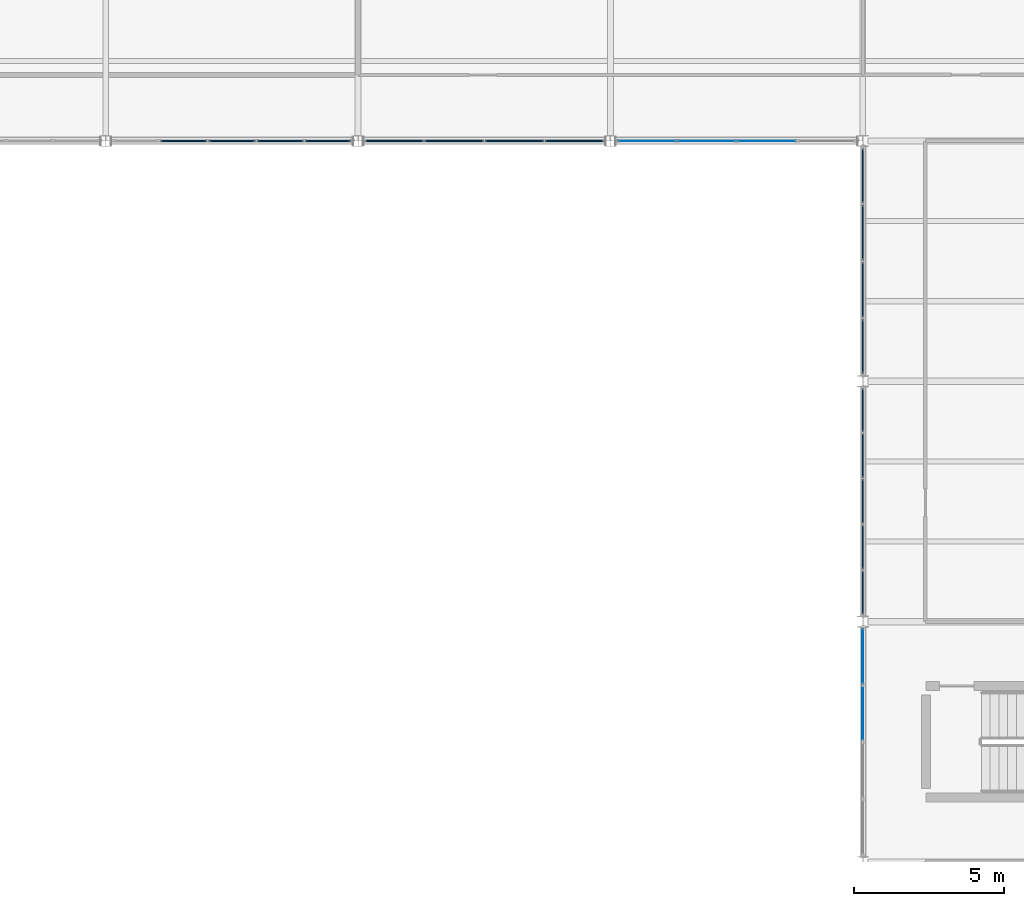
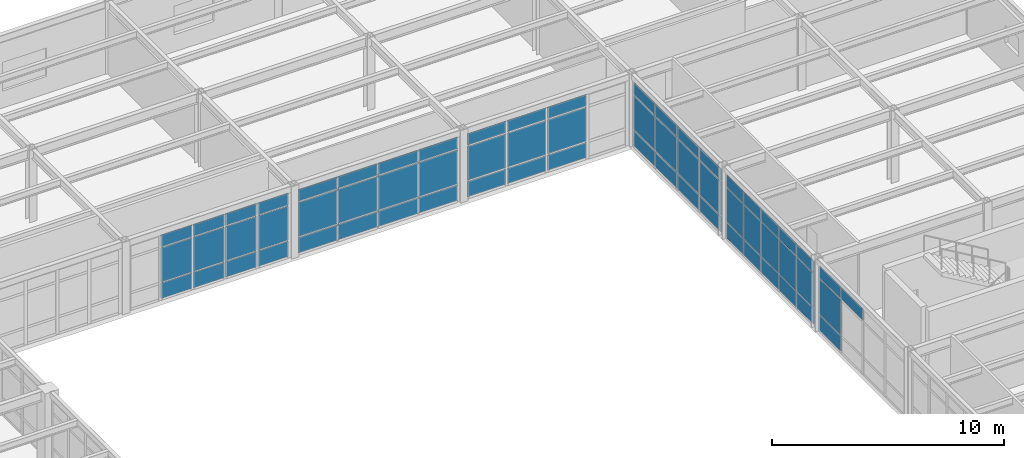
# One storey, part 65 of 138: 64 plates, 6 elements without a shape of their own.
"""IFC4 building model written with IfcOpenShell, lengths in metres."""

from ifc_helpers import new_model, si_unit, direction, frame, origin, origin_2d, place, context, subcontext, project, spatial, rectangle, extrude, material, layer, layer_set, type_object, element, aggregate, save


model = new_model("IFC4")

# Units and contexts
model_context = context("Model", 3, precision=1e-05, world=origin(), true_north=direction((0.0, 1.0)))
body_context = subcontext(model_context, "Body", "Model", "MODEL_VIEW")
ifc_project = project(units=[si_unit("LENGTHUNIT", "METRE"), si_unit("AREAUNIT", "SQUARE_METRE"), si_unit("VOLUMEUNIT", "CUBIC_METRE"), si_unit("PLANEANGLEUNIT", "RADIAN"), si_unit("MASSUNIT", "GRAM", prefix="KILO")], contexts=[model_context])

# Site, building, storey
site_placement = place(None, origin())
site = spatial("IfcSite", under=ifc_project, at=site_placement, CompositionType="ELEMENT")
building_placement = place(site_placement, origin())
building = spatial("IfcBuilding", under=site, at=building_placement, Name="Kranzveld Transit Interchange", CompositionType="ELEMENT")
storey_placement = place(building_placement, frame((0.0, 0.0, 5.43994140625)))
storey = spatial("IfcBuildingStorey", under=building, at=storey_placement, Name="L01", CompositionType="ELEMENT", Elevation=5.43994140625)

# Curtain wall, plates
ifc_material_1 = material(Name="Bronze-anodised thermally broken aluminium", Category="aluminium")
ifc_layer_1 = layer(ifc_material_1, 0.159912109375)
ifc_layer_set_1 = layer_set([ifc_layer_1], Name="Bronze-anodised thermally broken aluminium")
curtain_wall_type_1 = type_object("IfcCurtainWallType", Name="Bus Boarding Glazed Screen CW-3", PredefinedType="USERDEFINED", material=ifc_layer_set_1)
curtain_wall_1_placement = place(storey_placement, origin())
curtain_wall_1 = element("IfcCurtainWall", 1, at=curtain_wall_1_placement, inside=storey, type_object=curtain_wall_type_1, Name="L01 Curtain Wall 19/K-19/L", ObjectType="CURTAIN WALL", PredefinedType="USERDEFINED")
ifc_material_2 = material(Name="Solar-control double glazing", Category="glass")
ifc_layer_2 = layer(ifc_material_2, 0.031982421875)
ifc_layer_set_2 = layer_set([ifc_layer_2], Name="Solar-control double glazing")
plate_type_1 = type_object("IfcPlateType", Name="Curtain Panel Acoustic Glazing 32", PredefinedType="CURTAIN_PANEL", material=ifc_layer_set_2)
plate_1_placement = place(storey_placement, frame((151.199951171875, 76.953125, 2.830078125), z_axis=(0.0, 0.0, 1.0), x_axis=(0.0, 1.0, 0.0)))
plate_1 = element("IfcPlate", 2, at=plate_1_placement, type_object=plate_type_1, Name="CW-3 panel 3.3", PredefinedType="CURTAIN_PANEL", context=body_context, shape_type="SweptSolid", body=[
    extrude(rectangle(XDim=1.846435546875, YDim=0.031982421875, at=origin_2d()), origin(), (0.0, 0.0, 1.0), 0.610107421875),
])
plate_2_placement = place(storey_placement, frame((151.199951171875, 78.844482421875, 0.06005859375), z_axis=(0.0, 0.0, 1.0), x_axis=(0.0, 1.0, 0.0)))
plate_2 = element("IfcPlate", 3, at=plate_2_placement, type_object=plate_type_1, Name="CW-3 panel 4.1", PredefinedType="CURTAIN_PANEL", context=body_context, shape_type="SweptSolid", body=[
    extrude(rectangle(XDim=1.81640625, YDim=0.031982421875, at=origin_2d()), origin(), (0.0, 0.0, 1.0), 0.81005859375),
])
plate_3_placement = place(storey_placement, frame((151.199951171875, 78.844482421875, 0.93017578125), z_axis=(0.0, 0.0, 1.0), x_axis=(0.0, 1.0, 0.0)))
plate_3 = element("IfcPlate", 4, at=plate_3_placement, type_object=plate_type_1, Name="CW-3 panel 4.2", PredefinedType="CURTAIN_PANEL", context=body_context, shape_type="SweptSolid", body=[
    extrude(rectangle(XDim=1.81640625, YDim=0.031982421875, at=origin_2d()), origin(), (0.0, 0.0, 1.0), 1.840087890625),
])
plate_4_placement = place(storey_placement, frame((151.199951171875, 78.844482421875, 2.830078125), z_axis=(0.0, 0.0, 1.0), x_axis=(0.0, 1.0, 0.0)))
plate_4 = element("IfcPlate", 5, at=plate_4_placement, type_object=plate_type_1, Name="CW-3 panel 4.3", PredefinedType="CURTAIN_PANEL", context=body_context, shape_type="SweptSolid", body=[
    extrude(rectangle(XDim=1.81640625, YDim=0.031982421875, at=origin_2d()), origin(), (0.0, 0.0, 1.0), 0.610107421875),
])
aggregate(curtain_wall_1, [plate_1, plate_2, plate_3, plate_4])

ifc_material_3 = material(Name="Bronze-anodised thermally broken aluminium", Category="aluminium")
ifc_layer_3 = layer(ifc_material_3, 0.179931640625)
ifc_layer_set_3 = layer_set([ifc_layer_3], Name="Bronze-anodised thermally broken aluminium")
curtain_wall_type_2 = type_object("IfcCurtainWallType", Name="Concourse Unitised Curtain Wall CW-1", PredefinedType="USERDEFINED", material=ifc_layer_set_3)
curtain_wall_2_placement = place(storey_placement, origin())
curtain_wall_2 = element("IfcCurtainWall", 6, at=curtain_wall_2_placement, inside=storey, type_object=curtain_wall_type_2, Name="L01 Curtain Wall 18/N-19/N", ObjectType="CURTAIN WALL", PredefinedType="USERDEFINED")
ifc_material_4 = material(Name="Solar-control double glazing", Category="glass")
ifc_layer_4 = layer(ifc_material_4, 0.028076171875)
ifc_layer_set_4 = layer_set([ifc_layer_4], Name="Solar-control double glazing")
plate_type_2 = type_object("IfcPlateType", Name="Curtain Panel Double Glazing 28", PredefinedType="CURTAIN_PANEL", material=ifc_layer_set_4)
plate_5_placement = place(storey_placement, frame((144.0068359375, 96.0, 0.06494140625), z_axis=(0.0, 0.0, 1.0), x_axis=(1.0, 0.0, 0.0)))
plate_5 = element("IfcPlate", 7, at=plate_5_placement, type_object=plate_type_2, Name="CW-1 panel 1.1", PredefinedType="CURTAIN_PANEL", context=body_context, shape_type="SweptSolid", body=[
    extrude(rectangle(XDim=1.908935546875, YDim=0.028076171875, at=origin_2d()), origin(), (0.0, 0.0, 1.0), 0.802490234375),
])
plate_6_placement = place(storey_placement, frame((144.0068359375, 96.0, 0.9326171875), z_axis=(0.0, 0.0, 1.0), x_axis=(1.0, 0.0, 0.0)))
plate_6 = element("IfcPlate", 8, at=plate_6_placement, type_object=plate_type_2, Name="CW-1 panel 1.2", PredefinedType="CURTAIN_PANEL", context=body_context, shape_type="SweptSolid", body=[
    extrude(rectangle(XDim=1.908935546875, YDim=0.028076171875, at=origin_2d()), origin(), (0.0, 0.0, 1.0), 1.784912109375),
])
plate_7_placement = place(storey_placement, frame((144.0068359375, 96.0, 2.782470703125), z_axis=(0.0, 0.0, 1.0), x_axis=(1.0, 0.0, 0.0)))
plate_7 = element("IfcPlate", 9, at=plate_7_placement, type_object=plate_type_2, Name="CW-1 panel 1.3", PredefinedType="CURTAIN_PANEL", context=body_context, shape_type="SweptSolid", body=[
    extrude(rectangle(XDim=1.908935546875, YDim=0.028076171875, at=origin_2d()), origin(), (0.0, 0.0, 1.0), 0.6025390625),
])
plate_8_placement = place(storey_placement, frame((145.996826171875, 96.0, 0.06494140625), z_axis=(0.0, 0.0, 1.0), x_axis=(1.0, 0.0, 0.0)))
plate_8 = element("IfcPlate", 10, at=plate_8_placement, type_object=plate_type_2, Name="CW-1 panel 2.1", PredefinedType="CURTAIN_PANEL", context=body_context, shape_type="SweptSolid", body=[
    extrude(rectangle(XDim=1.94140625, YDim=0.028076171875, at=origin_2d()), origin(), (0.0, 0.0, 1.0), 0.802490234375),
])
plate_9_placement = place(storey_placement, frame((145.996826171875, 96.0, 0.9326171875), z_axis=(0.0, 0.0, 1.0), x_axis=(1.0, 0.0, 0.0)))
plate_9 = element("IfcPlate", 11, at=plate_9_placement, type_object=plate_type_2, Name="CW-1 panel 2.2", PredefinedType="CURTAIN_PANEL", context=body_context, shape_type="SweptSolid", body=[
    extrude(rectangle(XDim=1.94140625, YDim=0.028076171875, at=origin_2d()), origin(), (0.0, 0.0, 1.0), 1.784912109375),
])
plate_10_placement = place(storey_placement, frame((145.996826171875, 96.0, 2.782470703125), z_axis=(0.0, 0.0, 1.0), x_axis=(1.0, 0.0, 0.0)))
plate_10 = element("IfcPlate", 12, at=plate_10_placement, type_object=plate_type_2, Name="CW-1 panel 2.3", PredefinedType="CURTAIN_PANEL", context=body_context, shape_type="SweptSolid", body=[
    extrude(rectangle(XDim=1.94140625, YDim=0.028076171875, at=origin_2d()), origin(), (0.0, 0.0, 1.0), 0.6025390625),
])
plate_11_placement = place(storey_placement, frame((148.003173828125, 96.0, 0.06494140625), z_axis=(0.0, 0.0, 1.0), x_axis=(1.0, 0.0, 0.0)))
plate_11 = element("IfcPlate", 13, at=plate_11_placement, type_object=plate_type_2, Name="CW-1 panel 3.1", PredefinedType="CURTAIN_PANEL", context=body_context, shape_type="SweptSolid", body=[
    extrude(rectangle(XDim=1.94140625, YDim=0.028076171875, at=origin_2d()), origin(), (0.0, 0.0, 1.0), 0.802490234375),
])
plate_12_placement = place(storey_placement, frame((148.003173828125, 96.0, 0.9326171875), z_axis=(0.0, 0.0, 1.0), x_axis=(1.0, 0.0, 0.0)))
plate_12 = element("IfcPlate", 14, at=plate_12_placement, type_object=plate_type_2, Name="CW-1 panel 3.2", PredefinedType="CURTAIN_PANEL", context=body_context, shape_type="SweptSolid", body=[
    extrude(rectangle(XDim=1.94140625, YDim=0.028076171875, at=origin_2d()), origin(), (0.0, 0.0, 1.0), 1.784912109375),
])
plate_13_placement = place(storey_placement, frame((148.003173828125, 96.0, 2.782470703125), z_axis=(0.0, 0.0, 1.0), x_axis=(1.0, 0.0, 0.0)))
plate_13 = element("IfcPlate", 15, at=plate_13_placement, type_object=plate_type_2, Name="CW-1 panel 3.3", PredefinedType="CURTAIN_PANEL", context=body_context, shape_type="SweptSolid", body=[
    extrude(rectangle(XDim=1.94140625, YDim=0.028076171875, at=origin_2d()), origin(), (0.0, 0.0, 1.0), 0.6025390625),
])
aggregate(curtain_wall_2, [plate_5, plate_6, plate_7, plate_8, plate_9, plate_10, plate_11, plate_12, plate_13])

ifc_material_5 = material(Name="Bronze-anodised thermally broken aluminium", Category="aluminium")
ifc_layer_5 = layer(ifc_material_5, 0.14990234375)
ifc_layer_set_5 = layer_set([ifc_layer_5], Name="Bronze-anodised thermally broken aluminium")
curtain_wall_type_3 = type_object("IfcCurtainWallType", Name="Public Passage Clerestory Screen CW-4", PredefinedType="USERDEFINED", material=ifc_layer_set_5)
curtain_wall_3_placement = place(storey_placement, origin())
curtain_wall_3 = element("IfcCurtainWall", 16, at=curtain_wall_3_placement, inside=storey, type_object=curtain_wall_type_3, Name="L01 Curtain Wall 19/L-19/M", ObjectType="CURTAIN WALL", PredefinedType="USERDEFINED")
ifc_material_6 = material(Name="Solar-control double glazing", Category="glass")
ifc_layer_6 = layer(ifc_material_6, 0.0419921875)
ifc_layer_set_6 = layer_set([ifc_layer_6], Name="Solar-control double glazing")
plate_type_3 = type_object("IfcPlateType", Name="Curtain Panel Laminated Glazing 42", PredefinedType="CURTAIN_PANEL", material=ifc_layer_set_6)
plate_14_placement = place(storey_placement, frame((151.199951171875, 80.96484375, 0.06005859375), z_axis=(0.0, 0.0, 1.0), x_axis=(0.0, 1.0, 0.0)))
plate_14 = element("IfcPlate", 17, at=plate_14_placement, type_object=plate_type_3, Name="CW-4 panel 1.1", PredefinedType="CURTAIN_PANEL", context=body_context, shape_type="SweptSolid", body=[
    extrude(rectangle(XDim=1.43505859375, YDim=0.0419921875, at=origin_2d()), origin(), (0.0, 0.0, 1.0), 0.81005859375),
])
plate_15_placement = place(storey_placement, frame((151.199951171875, 80.96484375, 0.93017578125), z_axis=(0.0, 0.0, 1.0), x_axis=(0.0, 1.0, 0.0)))
plate_15 = element("IfcPlate", 18, at=plate_15_placement, type_object=plate_type_3, Name="CW-4 panel 1.2", PredefinedType="CURTAIN_PANEL", context=body_context, shape_type="SweptSolid", body=[
    extrude(rectangle(XDim=1.43505859375, YDim=0.0419921875, at=origin_2d()), origin(), (0.0, 0.0, 1.0), 1.781982421875),
])
plate_16_placement = place(storey_placement, frame((151.199951171875, 80.96484375, 2.77197265625), z_axis=(0.0, 0.0, 1.0), x_axis=(0.0, 1.0, 0.0)))
plate_16 = element("IfcPlate", 19, at=plate_16_placement, type_object=plate_type_3, Name="CW-4 panel 1.3", PredefinedType="CURTAIN_PANEL", context=body_context, shape_type="SweptSolid", body=[
    extrude(rectangle(XDim=1.43505859375, YDim=0.0419921875, at=origin_2d()), origin(), (0.0, 0.0, 1.0), 0.610107421875),
])
plate_17_placement = place(storey_placement, frame((151.199951171875, 82.474853515625, 0.06005859375), z_axis=(0.0, 0.0, 1.0), x_axis=(0.0, 1.0, 0.0)))
plate_17 = element("IfcPlate", 20, at=plate_17_placement, type_object=plate_type_3, Name="CW-4 panel 2.1", PredefinedType="CURTAIN_PANEL", context=body_context, shape_type="SweptSolid", body=[
    extrude(rectangle(XDim=1.465087890625, YDim=0.0419921875, at=origin_2d()), origin(), (0.0, 0.0, 1.0), 0.81005859375),
])
plate_18_placement = place(storey_placement, frame((151.199951171875, 82.474853515625, 0.93017578125), z_axis=(0.0, 0.0, 1.0), x_axis=(0.0, 1.0, 0.0)))
plate_18 = element("IfcPlate", 21, at=plate_18_placement, type_object=plate_type_3, Name="CW-4 panel 2.2", PredefinedType="CURTAIN_PANEL", context=body_context, shape_type="SweptSolid", body=[
    extrude(rectangle(XDim=1.465087890625, YDim=0.0419921875, at=origin_2d()), origin(), (0.0, 0.0, 1.0), 1.781982421875),
])
plate_19_placement = place(storey_placement, frame((151.199951171875, 82.474853515625, 2.77197265625), z_axis=(0.0, 0.0, 1.0), x_axis=(0.0, 1.0, 0.0)))
plate_19 = element("IfcPlate", 22, at=plate_19_placement, type_object=plate_type_3, Name="CW-4 panel 2.3", PredefinedType="CURTAIN_PANEL", context=body_context, shape_type="SweptSolid", body=[
    extrude(rectangle(XDim=1.465087890625, YDim=0.0419921875, at=origin_2d()), origin(), (0.0, 0.0, 1.0), 0.610107421875),
])
plate_20_placement = place(storey_placement, frame((151.199951171875, 84.0, 0.06005859375), z_axis=(0.0, 0.0, 1.0), x_axis=(0.0, 1.0, 0.0)))
plate_20 = element("IfcPlate", 23, at=plate_20_placement, type_object=plate_type_3, Name="CW-4 panel 3.1", PredefinedType="CURTAIN_PANEL", context=body_context, shape_type="SweptSolid", body=[
    extrude(rectangle(XDim=1.465087890625, YDim=0.0419921875, at=origin_2d()), origin(), (0.0, 0.0, 1.0), 0.81005859375),
])
plate_21_placement = place(storey_placement, frame((151.199951171875, 84.0, 0.93017578125), z_axis=(0.0, 0.0, 1.0), x_axis=(0.0, 1.0, 0.0)))
plate_21 = element("IfcPlate", 24, at=plate_21_placement, type_object=plate_type_3, Name="CW-4 panel 3.2", PredefinedType="CURTAIN_PANEL", context=body_context, shape_type="SweptSolid", body=[
    extrude(rectangle(XDim=1.465087890625, YDim=0.0419921875, at=origin_2d()), origin(), (0.0, 0.0, 1.0), 1.781982421875),
])
plate_22_placement = place(storey_placement, frame((151.199951171875, 84.0, 2.77197265625), z_axis=(0.0, 0.0, 1.0), x_axis=(0.0, 1.0, 0.0)))
plate_22 = element("IfcPlate", 25, at=plate_22_placement, type_object=plate_type_3, Name="CW-4 panel 3.3", PredefinedType="CURTAIN_PANEL", context=body_context, shape_type="SweptSolid", body=[
    extrude(rectangle(XDim=1.465087890625, YDim=0.0419921875, at=origin_2d()), origin(), (0.0, 0.0, 1.0), 0.610107421875),
])
plate_23_placement = place(storey_placement, frame((151.199951171875, 85.525146484375, 0.06005859375), z_axis=(0.0, 0.0, 1.0), x_axis=(0.0, 1.0, 0.0)))
plate_23 = element("IfcPlate", 26, at=plate_23_placement, type_object=plate_type_3, Name="CW-4 panel 4.1", PredefinedType="CURTAIN_PANEL", context=body_context, shape_type="SweptSolid", body=[
    extrude(rectangle(XDim=1.465087890625, YDim=0.0419921875, at=origin_2d()), origin(), (0.0, 0.0, 1.0), 0.81005859375),
])
plate_24_placement = place(storey_placement, frame((151.199951171875, 85.525146484375, 0.93017578125), z_axis=(0.0, 0.0, 1.0), x_axis=(0.0, 1.0, 0.0)))
plate_24 = element("IfcPlate", 27, at=plate_24_placement, type_object=plate_type_3, Name="CW-4 panel 4.2", PredefinedType="CURTAIN_PANEL", context=body_context, shape_type="SweptSolid", body=[
    extrude(rectangle(XDim=1.465087890625, YDim=0.0419921875, at=origin_2d()), origin(), (0.0, 0.0, 1.0), 1.781982421875),
])
plate_25_placement = place(storey_placement, frame((151.199951171875, 85.525146484375, 2.77197265625), z_axis=(0.0, 0.0, 1.0), x_axis=(0.0, 1.0, 0.0)))
plate_25 = element("IfcPlate", 28, at=plate_25_placement, type_object=plate_type_3, Name="CW-4 panel 4.3", PredefinedType="CURTAIN_PANEL", context=body_context, shape_type="SweptSolid", body=[
    extrude(rectangle(XDim=1.465087890625, YDim=0.0419921875, at=origin_2d()), origin(), (0.0, 0.0, 1.0), 0.610107421875),
])
plate_26_placement = place(storey_placement, frame((151.199951171875, 87.03515625, 0.06005859375), z_axis=(0.0, 0.0, 1.0), x_axis=(0.0, 1.0, 0.0)))
plate_26 = element("IfcPlate", 29, at=plate_26_placement, type_object=plate_type_3, Name="CW-4 panel 5.1", PredefinedType="CURTAIN_PANEL", context=body_context, shape_type="SweptSolid", body=[
    extrude(rectangle(XDim=1.43505859375, YDim=0.0419921875, at=origin_2d()), origin(), (0.0, 0.0, 1.0), 0.81005859375),
])
plate_27_placement = place(storey_placement, frame((151.199951171875, 87.03515625, 0.93017578125), z_axis=(0.0, 0.0, 1.0), x_axis=(0.0, 1.0, 0.0)))
plate_27 = element("IfcPlate", 30, at=plate_27_placement, type_object=plate_type_3, Name="CW-4 panel 5.2", PredefinedType="CURTAIN_PANEL", context=body_context, shape_type="SweptSolid", body=[
    extrude(rectangle(XDim=1.43505859375, YDim=0.0419921875, at=origin_2d()), origin(), (0.0, 0.0, 1.0), 1.781982421875),
])
plate_28_placement = place(storey_placement, frame((151.199951171875, 87.03515625, 2.77197265625), z_axis=(0.0, 0.0, 1.0), x_axis=(0.0, 1.0, 0.0)))
plate_28 = element("IfcPlate", 31, at=plate_28_placement, type_object=plate_type_3, Name="CW-4 panel 5.3", PredefinedType="CURTAIN_PANEL", context=body_context, shape_type="SweptSolid", body=[
    extrude(rectangle(XDim=1.43505859375, YDim=0.0419921875, at=origin_2d()), origin(), (0.0, 0.0, 1.0), 0.610107421875),
])
aggregate(curtain_wall_3, [plate_14, plate_15, plate_16, plate_17, plate_18, plate_19, plate_20, plate_21, plate_22, plate_23, plate_24, plate_25, plate_26, plate_27, plate_28])

ifc_material_7 = material(Name="Bronze-anodised thermally broken aluminium", Category="aluminium")
ifc_layer_7 = layer(ifc_material_7, 0.18505859375)
ifc_layer_set_7 = layer_set([ifc_layer_7], Name="Bronze-anodised thermally broken aluminium")
curtain_wall_type_4 = type_object("IfcCurtainWallType", Name="Control Crown Observation Facade CW-5", PredefinedType="USERDEFINED", material=ifc_layer_set_7)
curtain_wall_4_placement = place(storey_placement, origin())
curtain_wall_4 = element("IfcCurtainWall", 32, at=curtain_wall_4_placement, inside=storey, type_object=curtain_wall_type_4, Name="L01 Curtain Wall 19/M-19/N", ObjectType="CURTAIN WALL", PredefinedType="USERDEFINED")
ifc_material_8 = material(Name="Solar-control double glazing", Category="glass")
ifc_layer_8 = layer(ifc_material_8, 0.035888671875)
ifc_layer_set_8 = layer_set([ifc_layer_8], Name="Solar-control double glazing")
plate_type_4 = type_object("IfcPlateType", Name="Curtain Panel Triple Glazing 36", PredefinedType="CURTAIN_PANEL", material=ifc_layer_set_8)
plate_29_placement = place(storey_placement, frame((151.199951171875, 89.15673828125, 0.06494140625), z_axis=(0.0, 0.0, 1.0), x_axis=(0.0, 1.0, 0.0)))
plate_29 = element("IfcPlate", 33, at=plate_29_placement, type_object=plate_type_4, Name="CW-5 panel 1.1", PredefinedType="CURTAIN_PANEL", context=body_context, shape_type="SweptSolid", body=[
    extrude(rectangle(XDim=1.808837890625, YDim=0.035888671875, at=origin_2d()), origin(), (0.0, 0.0, 1.0), 0.802490234375),
])
plate_30_placement = place(storey_placement, frame((151.199951171875, 89.15673828125, 0.9326171875), z_axis=(0.0, 0.0, 1.0), x_axis=(0.0, 1.0, 0.0)))
plate_30 = element("IfcPlate", 34, at=plate_30_placement, type_object=plate_type_4, Name="CW-5 panel 1.2", PredefinedType="CURTAIN_PANEL", context=body_context, shape_type="SweptSolid", body=[
    extrude(rectangle(XDim=1.808837890625, YDim=0.035888671875, at=origin_2d()), origin(), (0.0, 0.0, 1.0), 1.777099609375),
])
plate_31_placement = place(storey_placement, frame((151.199951171875, 89.15673828125, 2.774658203125), z_axis=(0.0, 0.0, 1.0), x_axis=(0.0, 1.0, 0.0)))
plate_31 = element("IfcPlate", 35, at=plate_31_placement, type_object=plate_type_4, Name="CW-5 panel 1.3", PredefinedType="CURTAIN_PANEL", context=body_context, shape_type="SweptSolid", body=[
    extrude(rectangle(XDim=1.808837890625, YDim=0.035888671875, at=origin_2d()), origin(), (0.0, 0.0, 1.0), 0.6025390625),
])
plate_32_placement = place(storey_placement, frame((151.199951171875, 91.046875, 0.06494140625), z_axis=(0.0, 0.0, 1.0), x_axis=(0.0, 1.0, 0.0)))
plate_32 = element("IfcPlate", 36, at=plate_32_placement, type_object=plate_type_4, Name="CW-5 panel 2.1", PredefinedType="CURTAIN_PANEL", context=body_context, shape_type="SweptSolid", body=[
    extrude(rectangle(XDim=1.84130859375, YDim=0.035888671875, at=origin_2d()), origin(), (0.0, 0.0, 1.0), 0.802490234375),
])
plate_33_placement = place(storey_placement, frame((151.199951171875, 91.046875, 0.9326171875), z_axis=(0.0, 0.0, 1.0), x_axis=(0.0, 1.0, 0.0)))
plate_33 = element("IfcPlate", 37, at=plate_33_placement, type_object=plate_type_4, Name="CW-5 panel 2.2", PredefinedType="CURTAIN_PANEL", context=body_context, shape_type="SweptSolid", body=[
    extrude(rectangle(XDim=1.84130859375, YDim=0.035888671875, at=origin_2d()), origin(), (0.0, 0.0, 1.0), 1.777099609375),
])
plate_34_placement = place(storey_placement, frame((151.199951171875, 91.046875, 2.774658203125), z_axis=(0.0, 0.0, 1.0), x_axis=(0.0, 1.0, 0.0)))
plate_34 = element("IfcPlate", 38, at=plate_34_placement, type_object=plate_type_4, Name="CW-5 panel 2.3", PredefinedType="CURTAIN_PANEL", context=body_context, shape_type="SweptSolid", body=[
    extrude(rectangle(XDim=1.84130859375, YDim=0.035888671875, at=origin_2d()), origin(), (0.0, 0.0, 1.0), 0.6025390625),
])
plate_35_placement = place(storey_placement, frame((151.199951171875, 92.953125, 0.06494140625), z_axis=(0.0, 0.0, 1.0), x_axis=(0.0, 1.0, 0.0)))
plate_35 = element("IfcPlate", 39, at=plate_35_placement, type_object=plate_type_4, Name="CW-5 panel 3.1", PredefinedType="CURTAIN_PANEL", context=body_context, shape_type="SweptSolid", body=[
    extrude(rectangle(XDim=1.84130859375, YDim=0.035888671875, at=origin_2d()), origin(), (0.0, 0.0, 1.0), 0.802490234375),
])
plate_36_placement = place(storey_placement, frame((151.199951171875, 92.953125, 0.9326171875), z_axis=(0.0, 0.0, 1.0), x_axis=(0.0, 1.0, 0.0)))
plate_36 = element("IfcPlate", 40, at=plate_36_placement, type_object=plate_type_4, Name="CW-5 panel 3.2", PredefinedType="CURTAIN_PANEL", context=body_context, shape_type="SweptSolid", body=[
    extrude(rectangle(XDim=1.84130859375, YDim=0.035888671875, at=origin_2d()), origin(), (0.0, 0.0, 1.0), 1.777099609375),
])
plate_37_placement = place(storey_placement, frame((151.199951171875, 92.953125, 2.774658203125), z_axis=(0.0, 0.0, 1.0), x_axis=(0.0, 1.0, 0.0)))
plate_37 = element("IfcPlate", 41, at=plate_37_placement, type_object=plate_type_4, Name="CW-5 panel 3.3", PredefinedType="CURTAIN_PANEL", context=body_context, shape_type="SweptSolid", body=[
    extrude(rectangle(XDim=1.84130859375, YDim=0.035888671875, at=origin_2d()), origin(), (0.0, 0.0, 1.0), 0.6025390625),
])
plate_38_placement = place(storey_placement, frame((151.199951171875, 94.84326171875, 0.06494140625), z_axis=(0.0, 0.0, 1.0), x_axis=(0.0, 1.0, 0.0)))
plate_38 = element("IfcPlate", 42, at=plate_38_placement, type_object=plate_type_4, Name="CW-5 panel 4.1", PredefinedType="CURTAIN_PANEL", context=body_context, shape_type="SweptSolid", body=[
    extrude(rectangle(XDim=1.808837890625, YDim=0.035888671875, at=origin_2d()), origin(), (0.0, 0.0, 1.0), 0.802490234375),
])
plate_39_placement = place(storey_placement, frame((151.199951171875, 94.84326171875, 0.9326171875), z_axis=(0.0, 0.0, 1.0), x_axis=(0.0, 1.0, 0.0)))
plate_39 = element("IfcPlate", 43, at=plate_39_placement, type_object=plate_type_4, Name="CW-5 panel 4.2", PredefinedType="CURTAIN_PANEL", context=body_context, shape_type="SweptSolid", body=[
    extrude(rectangle(XDim=1.808837890625, YDim=0.035888671875, at=origin_2d()), origin(), (0.0, 0.0, 1.0), 1.777099609375),
])
plate_40_placement = place(storey_placement, frame((151.199951171875, 94.84326171875, 2.774658203125), z_axis=(0.0, 0.0, 1.0), x_axis=(0.0, 1.0, 0.0)))
plate_40 = element("IfcPlate", 44, at=plate_40_placement, type_object=plate_type_4, Name="CW-5 panel 4.3", PredefinedType="CURTAIN_PANEL", context=body_context, shape_type="SweptSolid", body=[
    extrude(rectangle(XDim=1.808837890625, YDim=0.035888671875, at=origin_2d()), origin(), (0.0, 0.0, 1.0), 0.6025390625),
])
aggregate(curtain_wall_4, [plate_29, plate_30, plate_31, plate_32, plate_33, plate_34, plate_35, plate_36, plate_37, plate_38, plate_39, plate_40])

ifc_material_9 = material(Name="Bronze-anodised thermally broken aluminium", Category="aluminium")
ifc_layer_9 = layer(ifc_material_9, 0.1650390625)
ifc_layer_set_9 = layer_set([ifc_layer_9], Name="Bronze-anodised thermally broken aluminium")
curtain_wall_type_5 = type_object("IfcCurtainWallType", Name="Sunny Court Arcade Curtain Wall CW-2", PredefinedType="USERDEFINED", material=ifc_layer_set_9)
curtain_wall_5_placement = place(storey_placement, origin())
curtain_wall_5 = element("IfcCurtainWall", 45, at=curtain_wall_5_placement, inside=storey, type_object=curtain_wall_type_5, Name="L01 Curtain Wall 16/N-17/N", ObjectType="CURTAIN WALL", PredefinedType="USERDEFINED")
ifc_material_10 = material(Name="Pretoria red-purple clinker clay face brick, 35 MPa", Category="masonry")
ifc_layer_10 = layer(ifc_material_10, 0.050048828125)
ifc_layer_set_10 = layer_set([ifc_layer_10], Name="Pretoria red-purple clinker clay face brick, 35 MPa")
plate_type_5 = type_object("IfcPlateType", Name="Curtain Spandrel Clinker Tile 50", PredefinedType="CURTAIN_PANEL", material=ifc_layer_set_10)
plate_41_placement = place(storey_placement, frame((128.594970703125, 96.0, 0.06005859375), z_axis=(0.0, 0.0, 1.0), x_axis=(1.0, 0.0, 0.0)))
plate_41 = element("IfcPlate", 46, at=plate_41_placement, type_object=plate_type_5, Name="CW-2 panel 2.1", PredefinedType="CURTAIN_PANEL", context=body_context, shape_type="SweptSolid", body=[
    extrude(rectangle(XDim=1.5400390625, YDim=0.050048828125, at=origin_2d()), origin(), (0.0, 0.0, 1.0), 0.81005859375),
])
plate_42_placement = place(storey_placement, frame((128.594970703125, 96.0, 0.929931640625), z_axis=(0.0, 0.0, 1.0), x_axis=(1.0, 0.0, 0.0)))
plate_42 = element("IfcPlate", 47, at=plate_42_placement, type_object=plate_type_5, Name="CW-2 panel 2.2", PredefinedType="CURTAIN_PANEL", context=body_context, shape_type="SweptSolid", body=[
    extrude(rectangle(XDim=1.5400390625, YDim=0.050048828125, at=origin_2d()), origin(), (0.0, 0.0, 1.0), 1.7900390625),
])
plate_43_placement = place(storey_placement, frame((128.594970703125, 96.0, 2.77978515625), z_axis=(0.0, 0.0, 1.0), x_axis=(1.0, 0.0, 0.0)))
plate_43 = element("IfcPlate", 48, at=plate_43_placement, type_object=plate_type_5, Name="CW-2 panel 2.3", PredefinedType="CURTAIN_PANEL", context=body_context, shape_type="SweptSolid", body=[
    extrude(rectangle(XDim=1.5400390625, YDim=0.050048828125, at=origin_2d()), origin(), (0.0, 0.0, 1.0), 0.610107421875),
])
plate_44_placement = place(storey_placement, frame((130.199951171875, 96.0, 0.06005859375), z_axis=(0.0, 0.0, 1.0), x_axis=(1.0, 0.0, 0.0)))
plate_44 = element("IfcPlate", 49, at=plate_44_placement, type_object=plate_type_5, Name="CW-2 panel 3.1", PredefinedType="CURTAIN_PANEL", context=body_context, shape_type="SweptSolid", body=[
    extrude(rectangle(XDim=1.5400390625, YDim=0.050048828125, at=origin_2d()), origin(), (0.0, 0.0, 1.0), 0.81005859375),
])
plate_45_placement = place(storey_placement, frame((130.199951171875, 96.0, 0.929931640625), z_axis=(0.0, 0.0, 1.0), x_axis=(1.0, 0.0, 0.0)))
plate_45 = element("IfcPlate", 50, at=plate_45_placement, type_object=plate_type_5, Name="CW-2 panel 3.2", PredefinedType="CURTAIN_PANEL", context=body_context, shape_type="SweptSolid", body=[
    extrude(rectangle(XDim=1.5400390625, YDim=0.050048828125, at=origin_2d()), origin(), (0.0, 0.0, 1.0), 1.7900390625),
])
plate_46_placement = place(storey_placement, frame((130.199951171875, 96.0, 2.77978515625), z_axis=(0.0, 0.0, 1.0), x_axis=(1.0, 0.0, 0.0)))
plate_46 = element("IfcPlate", 51, at=plate_46_placement, type_object=plate_type_5, Name="CW-2 panel 3.3", PredefinedType="CURTAIN_PANEL", context=body_context, shape_type="SweptSolid", body=[
    extrude(rectangle(XDim=1.5400390625, YDim=0.050048828125, at=origin_2d()), origin(), (0.0, 0.0, 1.0), 0.610107421875),
])
plate_47_placement = place(storey_placement, frame((131.80517578125, 96.0, 0.06005859375), z_axis=(0.0, 0.0, 1.0), x_axis=(1.0, 0.0, 0.0)))
plate_47 = element("IfcPlate", 52, at=plate_47_placement, type_object=plate_type_5, Name="CW-2 panel 4.1", PredefinedType="CURTAIN_PANEL", context=body_context, shape_type="SweptSolid", body=[
    extrude(rectangle(XDim=1.5400390625, YDim=0.050048828125, at=origin_2d()), origin(), (0.0, 0.0, 1.0), 0.81005859375),
])
plate_48_placement = place(storey_placement, frame((131.80517578125, 96.0, 0.929931640625), z_axis=(0.0, 0.0, 1.0), x_axis=(1.0, 0.0, 0.0)))
plate_48 = element("IfcPlate", 53, at=plate_48_placement, type_object=plate_type_5, Name="CW-2 panel 4.2", PredefinedType="CURTAIN_PANEL", context=body_context, shape_type="SweptSolid", body=[
    extrude(rectangle(XDim=1.5400390625, YDim=0.050048828125, at=origin_2d()), origin(), (0.0, 0.0, 1.0), 1.7900390625),
])
plate_49_placement = place(storey_placement, frame((131.80517578125, 96.0, 2.77978515625), z_axis=(0.0, 0.0, 1.0), x_axis=(1.0, 0.0, 0.0)))
plate_49 = element("IfcPlate", 54, at=plate_49_placement, type_object=plate_type_5, Name="CW-2 panel 4.3", PredefinedType="CURTAIN_PANEL", context=body_context, shape_type="SweptSolid", body=[
    extrude(rectangle(XDim=1.5400390625, YDim=0.050048828125, at=origin_2d()), origin(), (0.0, 0.0, 1.0), 0.610107421875),
])
plate_50_placement = place(storey_placement, frame((133.393798828125, 96.0, 0.06005859375), z_axis=(0.0, 0.0, 1.0), x_axis=(1.0, 0.0, 0.0)))
plate_50 = element("IfcPlate", 55, at=plate_50_placement, type_object=plate_type_5, Name="CW-2 panel 5.1", PredefinedType="CURTAIN_PANEL", context=body_context, shape_type="SweptSolid", body=[
    extrude(rectangle(XDim=1.507568359375, YDim=0.050048828125, at=origin_2d()), origin(), (0.0, 0.0, 1.0), 0.81005859375),
])
plate_51_placement = place(storey_placement, frame((133.393798828125, 96.0, 0.929931640625), z_axis=(0.0, 0.0, 1.0), x_axis=(1.0, 0.0, 0.0)))
plate_51 = element("IfcPlate", 56, at=plate_51_placement, type_object=plate_type_5, Name="CW-2 panel 5.2", PredefinedType="CURTAIN_PANEL", context=body_context, shape_type="SweptSolid", body=[
    extrude(rectangle(XDim=1.507568359375, YDim=0.050048828125, at=origin_2d()), origin(), (0.0, 0.0, 1.0), 1.7900390625),
])
plate_52_placement = place(storey_placement, frame((133.393798828125, 96.0, 2.77978515625), z_axis=(0.0, 0.0, 1.0), x_axis=(1.0, 0.0, 0.0)))
plate_52 = element("IfcPlate", 57, at=plate_52_placement, type_object=plate_type_5, Name="CW-2 panel 5.3", PredefinedType="CURTAIN_PANEL", context=body_context, shape_type="SweptSolid", body=[
    extrude(rectangle(XDim=1.507568359375, YDim=0.050048828125, at=origin_2d()), origin(), (0.0, 0.0, 1.0), 0.610107421875),
])
aggregate(curtain_wall_5, [plate_41, plate_42, plate_43, plate_44, plate_45, plate_46, plate_47, plate_48, plate_49, plate_50, plate_51, plate_52])

curtain_wall_6_placement = place(storey_placement, origin())
curtain_wall_6 = element("IfcCurtainWall", 58, at=curtain_wall_6_placement, inside=storey, type_object=curtain_wall_type_1, Name="L01 Curtain Wall 17/N-18/N", ObjectType="CURTAIN WALL", PredefinedType="USERDEFINED")
ifc_material_11 = material(Name="Bronze-anodised thermally broken aluminium", Category="aluminium")
ifc_layer_11 = layer(ifc_material_11, 0.053955078125)
ifc_layer_set_11 = layer_set([ifc_layer_11], Name="Bronze-anodised thermally broken aluminium")
plate_type_6 = type_object("IfcPlateType", Name="Curtain Spandrel Insulated Alu 54", PredefinedType="CURTAIN_PANEL", material=ifc_layer_set_11)
plate_53_placement = place(storey_placement, frame((135.60546875, 96.0, 0.06494140625), z_axis=(0.0, 0.0, 1.0), x_axis=(1.0, 0.0, 0.0)))
plate_53 = element("IfcPlate", 59, at=plate_53_placement, type_object=plate_type_6, Name="CW-3 panel 1.1", PredefinedType="CURTAIN_PANEL", context=body_context, shape_type="SweptSolid", body=[
    extrude(rectangle(XDim=1.916259765625, YDim=0.053955078125, at=origin_2d()), origin(), (0.0, 0.0, 1.0), 0.802490234375),
])
plate_54_placement = place(storey_placement, frame((135.60546875, 96.0, 0.9326171875), z_axis=(0.0, 0.0, 1.0), x_axis=(1.0, 0.0, 0.0)))
plate_54 = element("IfcPlate", 60, at=plate_54_placement, type_object=plate_type_6, Name="CW-3 panel 1.2", PredefinedType="CURTAIN_PANEL", context=body_context, shape_type="SweptSolid", body=[
    extrude(rectangle(XDim=1.916259765625, YDim=0.053955078125, at=origin_2d()), origin(), (0.0, 0.0, 1.0), 1.784912109375),
])
plate_55_placement = place(storey_placement, frame((135.60546875, 96.0, 2.782470703125), z_axis=(0.0, 0.0, 1.0), x_axis=(1.0, 0.0, 0.0)))
plate_55 = element("IfcPlate", 61, at=plate_55_placement, type_object=plate_type_6, Name="CW-3 panel 1.3", PredefinedType="CURTAIN_PANEL", context=body_context, shape_type="SweptSolid", body=[
    extrude(rectangle(XDim=1.916259765625, YDim=0.053955078125, at=origin_2d()), origin(), (0.0, 0.0, 1.0), 0.6025390625),
])
plate_56_placement = place(storey_placement, frame((137.596923828125, 96.0, 0.06494140625), z_axis=(0.0, 0.0, 1.0), x_axis=(1.0, 0.0, 0.0)))
plate_56 = element("IfcPlate", 62, at=plate_56_placement, type_object=plate_type_6, Name="CW-3 panel 2.1", PredefinedType="CURTAIN_PANEL", context=body_context, shape_type="SweptSolid", body=[
    extrude(rectangle(XDim=1.9462890625, YDim=0.053955078125, at=origin_2d()), origin(), (0.0, 0.0, 1.0), 0.802490234375),
])
plate_57_placement = place(storey_placement, frame((137.596923828125, 96.0, 0.9326171875), z_axis=(0.0, 0.0, 1.0), x_axis=(1.0, 0.0, 0.0)))
plate_57 = element("IfcPlate", 63, at=plate_57_placement, type_object=plate_type_6, Name="CW-3 panel 2.2", PredefinedType="CURTAIN_PANEL", context=body_context, shape_type="SweptSolid", body=[
    extrude(rectangle(XDim=1.9462890625, YDim=0.053955078125, at=origin_2d()), origin(), (0.0, 0.0, 1.0), 1.784912109375),
])
plate_58_placement = place(storey_placement, frame((137.596923828125, 96.0, 2.782470703125), z_axis=(0.0, 0.0, 1.0), x_axis=(1.0, 0.0, 0.0)))
plate_58 = element("IfcPlate", 64, at=plate_58_placement, type_object=plate_type_6, Name="CW-3 panel 2.3", PredefinedType="CURTAIN_PANEL", context=body_context, shape_type="SweptSolid", body=[
    extrude(rectangle(XDim=1.9462890625, YDim=0.053955078125, at=origin_2d()), origin(), (0.0, 0.0, 1.0), 0.6025390625),
])
plate_59_placement = place(storey_placement, frame((139.603271484375, 96.0, 0.06494140625), z_axis=(0.0, 0.0, 1.0), x_axis=(1.0, 0.0, 0.0)))
plate_59 = element("IfcPlate", 65, at=plate_59_placement, type_object=plate_type_6, Name="CW-3 panel 3.1", PredefinedType="CURTAIN_PANEL", context=body_context, shape_type="SweptSolid", body=[
    extrude(rectangle(XDim=1.9462890625, YDim=0.053955078125, at=origin_2d()), origin(), (0.0, 0.0, 1.0), 0.802490234375),
])
plate_60_placement = place(storey_placement, frame((139.603271484375, 96.0, 0.9326171875), z_axis=(0.0, 0.0, 1.0), x_axis=(1.0, 0.0, 0.0)))
plate_60 = element("IfcPlate", 66, at=plate_60_placement, type_object=plate_type_6, Name="CW-3 panel 3.2", PredefinedType="CURTAIN_PANEL", context=body_context, shape_type="SweptSolid", body=[
    extrude(rectangle(XDim=1.9462890625, YDim=0.053955078125, at=origin_2d()), origin(), (0.0, 0.0, 1.0), 1.784912109375),
])
plate_61_placement = place(storey_placement, frame((139.603271484375, 96.0, 2.782470703125), z_axis=(0.0, 0.0, 1.0), x_axis=(1.0, 0.0, 0.0)))
plate_61 = element("IfcPlate", 67, at=plate_61_placement, type_object=plate_type_6, Name="CW-3 panel 3.3", PredefinedType="CURTAIN_PANEL", context=body_context, shape_type="SweptSolid", body=[
    extrude(rectangle(XDim=1.9462890625, YDim=0.053955078125, at=origin_2d()), origin(), (0.0, 0.0, 1.0), 0.6025390625),
])
plate_62_placement = place(storey_placement, frame((141.594482421875, 96.0, 0.06494140625), z_axis=(0.0, 0.0, 1.0), x_axis=(1.0, 0.0, 0.0)))
plate_62 = element("IfcPlate", 68, at=plate_62_placement, type_object=plate_type_6, Name="CW-3 panel 4.1", PredefinedType="CURTAIN_PANEL", context=body_context, shape_type="SweptSolid", body=[
    extrude(rectangle(XDim=1.916259765625, YDim=0.053955078125, at=origin_2d()), origin(), (0.0, 0.0, 1.0), 0.802490234375),
])
plate_63_placement = place(storey_placement, frame((141.594482421875, 96.0, 0.9326171875), z_axis=(0.0, 0.0, 1.0), x_axis=(1.0, 0.0, 0.0)))
plate_63 = element("IfcPlate", 69, at=plate_63_placement, type_object=plate_type_6, Name="CW-3 panel 4.2", PredefinedType="CURTAIN_PANEL", context=body_context, shape_type="SweptSolid", body=[
    extrude(rectangle(XDim=1.916259765625, YDim=0.053955078125, at=origin_2d()), origin(), (0.0, 0.0, 1.0), 1.784912109375),
])
plate_64_placement = place(storey_placement, frame((141.594482421875, 96.0, 2.782470703125), z_axis=(0.0, 0.0, 1.0), x_axis=(1.0, 0.0, 0.0)))
plate_64 = element("IfcPlate", 70, at=plate_64_placement, type_object=plate_type_6, Name="CW-3 panel 4.3", PredefinedType="CURTAIN_PANEL", context=body_context, shape_type="SweptSolid", body=[
    extrude(rectangle(XDim=1.916259765625, YDim=0.053955078125, at=origin_2d()), origin(), (0.0, 0.0, 1.0), 0.6025390625),
])
aggregate(curtain_wall_6, [plate_53, plate_54, plate_55, plate_56, plate_57, plate_58, plate_59, plate_60, plate_61, plate_62, plate_63, plate_64])

save(model, "model.ifc")
